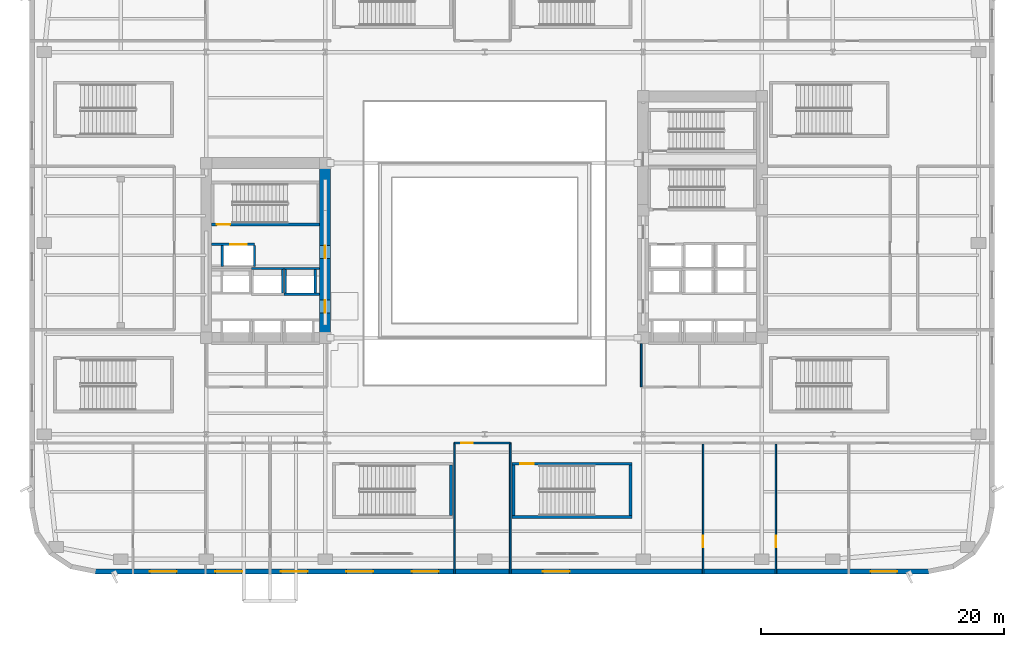
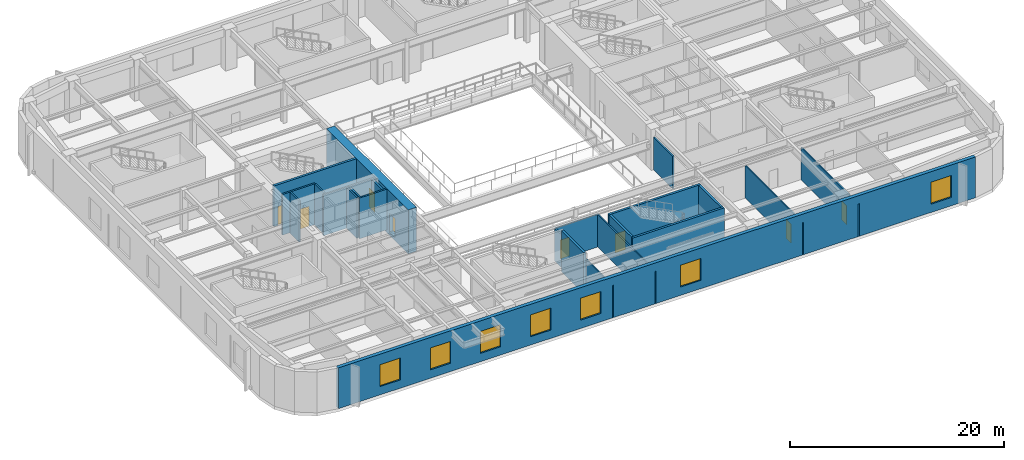
# One storey, part 8 of 24: 23 walls, 8 doors, 7 windows, 15 openings.
"""IFC4 building model written with IfcOpenShell, lengths in metres."""

from ifc_helpers import new_model, si_unit, direction, frame, frame_2d, origin, place, context, subcontext, project, spatial, rectangle, extrude, material, layer, layer_set, type_object, element, fill, save


model = new_model("IFC4")

# Units and contexts
model_context = context("Model", 3, precision=1e-05, world=origin(), true_north=direction((0.0, 1.0)))
body_context = subcontext(model_context, "Body", "Model", "MODEL_VIEW")
ifc_project = project(units=[si_unit("LENGTHUNIT", "METRE"), si_unit("AREAUNIT", "SQUARE_METRE"), si_unit("VOLUMEUNIT", "CUBIC_METRE"), si_unit("PLANEANGLEUNIT", "RADIAN"), si_unit("MASSUNIT", "GRAM", prefix="KILO")], contexts=[model_context])

# Site, building, storey
site_placement = place(None, origin())
site = spatial("IfcSite", under=ifc_project, at=site_placement, CompositionType="ELEMENT")
building_placement = place(site_placement, origin())
building = spatial("IfcBuilding", under=site, at=building_placement, Name="Kolvaren Arena Tower", CompositionType="ELEMENT")
storey_placement = place(building_placement, frame((0.0, 0.0, 23.0)))
storey = spatial("IfcBuildingStorey", under=building, at=storey_placement, Name="L04", CompositionType="ELEMENT", Elevation=23.0)

# Wall, opening, door
ifc_material_1 = material(Name="Gypsum board acoustic assembly", Category="gypsum")
ifc_layer_1 = layer(ifc_material_1, 0.159912109375)
ifc_layer_set_1 = layer_set([ifc_layer_1], Name="Gypsum board acoustic assembly")
wall_type_1 = type_object("IfcWallType", Name="CORR-160", PredefinedType="PARTITIONING", material=ifc_layer_set_1)
wall_1_placement = place(storey_placement, frame((35.0, 10.780029296875, 0.0), z_axis=(0.0, 0.0, 1.0), x_axis=(1.0, 0.0, 0.0)))
wall_1 = element("IfcWall", 1, at=wall_1_placement, inside=storey, type_object=wall_type_1, Name="Interior Partition Wall (L04)", PredefinedType="PARTITIONING", context=body_context, shape_type="SweptSolid", body=[
    extrude(rectangle(XDim=4.60009765625, YDim=0.159912109375, at=frame_2d((2.300048828125, 0.0))), origin(), (0.0, 0.0, 1.0), 3.7099609375),
])
opening_1_placement = place(wall_1_placement, frame((0.550048828125, 0.0, 0.0)))
opening_1 = element("IfcOpeningElement", 2, at=opening_1_placement, cuts=wall_1, Name="Opening D05", PredefinedType="OPENING", context=body_context, shape_type="SweptSolid", body=[
    extrude(rectangle(XDim=0.949951171875, YDim=2.14990234375, at=frame_2d((0.47509765625, 1.074951171875))), frame((0.0, 0.08984375, 0.0), z_axis=(0.0, -1.0, 0.0), x_axis=(1.0, 0.0, 0.0)), (0.0, 0.0, 1.0), 0.179931640625),
])
ifc_material_2 = material(Name="Solid-core oak acoustic office door", Category="wood")
door_type_1 = type_object("IfcDoorType", Name="DOOR-OF-095", OperationType="NOTDEFINED", PredefinedType="DOOR", material=ifc_material_2)
door_1_placement = place(opening_1_placement, origin())
door_1 = element("IfcDoor", 3, at=door_1_placement, inside=storey, type_object=door_type_1, Name="South Concourse Lounge Door (L04)", OperationType="SINGLE_SWING_LEFT", OverallHeight=2.14990234375, OverallWidth=0.949951171875, PredefinedType="DOOR", context=body_context, shape_type="SweptSolid", body=[
    extrude(rectangle(XDim=0.949951171875, YDim=2.14990234375, at=frame_2d((0.47509765625, 1.074951171875))), frame((0.0, 0.02490234375, 0.0), z_axis=(0.0, -1.0, 0.0), x_axis=(1.0, 0.0, 0.0)), (0.0, 0.0, 1.0), 0.050048828125),
])
fill(opening_1, door_1)

# Wall, openings, doors
ifc_material_3 = material(Name="Concrete 80 MPa", Category="concrete")
ifc_layer_2 = layer(ifc_material_3, 0.89990234375)
ifc_layer_set_2 = layer_set([ifc_layer_2], Name="Concrete 80 MPa")
wall_type_2 = type_object("IfcWallType", Name="CWALL-900", PredefinedType="SHEAR", material=ifc_layer_set_2)
wall_2_placement = place(storey_placement, frame((24.35009765625, 19.0, -0.35009765625), z_axis=(0.0, 0.0, 1.0), x_axis=(0.0, 1.0, 0.0)))
wall_2 = element("IfcWall", 4, at=wall_2_placement, inside=storey, type_object=wall_type_2, Name="Core Shear Wall WC-EAST (L04)", PredefinedType="SHEAR", context=body_context, shape_type="SweptSolid", body=[
    extrude(rectangle(XDim=15.300048828125, YDim=0.89990234375, at=frame_2d((7.64990234375, 0.0))), origin(), (0.0, 0.0, 1.0), 5.0),
])
opening_2_placement = place(wall_2_placement, frame((2.5, 0.0, 0.35009765625)))
opening_2 = element("IfcOpeningElement", 5, at=opening_2_placement, cuts=wall_2, Name="Opening D04", PredefinedType="OPENING", context=body_context, shape_type="SweptSolid", body=[
    extrude(rectangle(XDim=1.050048828125, YDim=2.14990234375, at=frame_2d((0.52490234375, 1.074951171875))), frame((0.0, 0.4599609375, 0.0), z_axis=(0.0, -1.0, 0.0), x_axis=(1.0, 0.0, 0.0)), (0.0, 0.0, 1.0), 0.919921875),
])
opening_3_placement = place(wall_2_placement, frame((7.0, 0.0, 0.35009765625)))
opening_3 = element("IfcOpeningElement", 6, at=opening_3_placement, cuts=wall_2, Name="Opening D04", PredefinedType="OPENING", context=body_context, shape_type="SweptSolid", body=[
    extrude(rectangle(XDim=1.050048828125, YDim=2.14990234375, at=frame_2d((0.52490234375, 1.074951171875))), frame((0.0, 0.4599609375, 0.0), z_axis=(0.0, -1.0, 0.0), x_axis=(1.0, 0.0, 0.0)), (0.0, 0.0, 1.0), 0.919921875),
])
ifc_material_4 = material(Name="Fire-rated steel lobby door", Category="steel")
door_type_2 = type_object("IfcDoorType", Name="DOOR-FF-105", OperationType="NOTDEFINED", PredefinedType="DOOR", material=ifc_material_4)
door_2_placement = place(opening_2_placement, origin())
door_2 = element("IfcDoor", 7, at=door_2_placement, inside=storey, type_object=door_type_2, Name="West Lift Lobby Fire Door (L04)", OperationType="SINGLE_SWING_LEFT", OverallHeight=2.14990234375, OverallWidth=1.050048828125, PredefinedType="DOOR", context=body_context, shape_type="SweptSolid", body=[
    extrude(rectangle(XDim=1.050048828125, YDim=2.14990234375, at=frame_2d((0.52490234375, 1.074951171875))), frame((0.0, 0.02490234375, 0.0), z_axis=(0.0, -1.0, 0.0), x_axis=(1.0, 0.0, 0.0)), (0.0, 0.0, 1.0), 0.050048828125),
])
fill(opening_2, door_2)
door_3_placement = place(opening_3_placement, origin())
door_3 = element("IfcDoor", 8, at=door_3_placement, inside=storey, type_object=door_type_2, Name="West Firefighter Vestibule Door (L04)", OperationType="SINGLE_SWING_RIGHT", OverallHeight=2.14990234375, OverallWidth=1.050048828125, PredefinedType="DOOR", context=body_context, shape_type="SweptSolid", body=[
    extrude(rectangle(XDim=1.050048828125, YDim=2.14990234375, at=frame_2d((0.52490234375, 1.074951171875))), frame((0.0, 0.02490234375, 0.0), z_axis=(0.0, -1.0, 0.0), x_axis=(1.0, 0.0, 0.0)), (0.0, 0.0, 1.0), 0.050048828125),
])
fill(opening_3, door_3)

# Wall, openings, windows
ifc_material_5 = material(Name="Precast concrete C50/60", Category="concrete")
ifc_layer_3 = layer(ifc_material_5, 0.3798828125)
ifc_layer_set_3 = layer_set([ifc_layer_3], Name="Precast concrete C50/60")
wall_type_3 = type_object("IfcWallType", Name="EXT-ARENA", PredefinedType="SOLIDWALL", material=ifc_layer_set_3)
wall_3_placement = place(storey_placement, frame((74.10009765625, 0.18994140625, 0.0), z_axis=(0.0, 0.0, 1.0), x_axis=(-1.0, 0.0, 0.0)))
wall_3 = element("IfcWall", 9, at=wall_3_placement, inside=storey, type_object=wall_type_3, Name="Exterior Precast Masonry-Frame Wall (L04)", PredefinedType="SOLIDWALL", context=body_context, shape_type="SweptSolid", body=[
    extrude(rectangle(XDim=68.7001953125, YDim=0.3798828125, at=frame_2d((34.35009765625, 0.0))), origin(), (0.0, 0.0, 1.0), 4.64990234375),
])
opening_4_placement = place(wall_3_placement, frame((2.60009765625, 0.0, 0.949951171875)))
opening_4 = element("IfcOpeningElement", 10, at=opening_4_placement, cuts=wall_3, Name="Opening W07", PredefinedType="OPENING", context=body_context, shape_type="SweptSolid", body=[
    extrude(rectangle(XDim=2.199951171875, YDim=2.5, at=frame_2d((1.10009765625, 1.25))), frame((0.0, 0.199951171875, 0.0), z_axis=(0.0, -1.0, 0.0), x_axis=(1.0, 0.0, 0.0)), (0.0, 0.0, 1.0), 0.39990234375),
])
opening_5_placement = place(wall_3_placement, frame((29.60009765625, 0.0, 0.949951171875)))
opening_5 = element("IfcOpeningElement", 11, at=opening_5_placement, cuts=wall_3, Name="Opening W07", PredefinedType="OPENING", context=body_context, shape_type="SweptSolid", body=[
    extrude(rectangle(XDim=2.199951171875, YDim=2.5, at=frame_2d((1.10009765625, 1.25))), frame((0.0, 0.199951171875, 0.0), z_axis=(0.0, -1.0, 0.0), x_axis=(1.0, 0.0, 0.0)), (0.0, 0.0, 1.0), 0.39990234375),
])
opening_6_placement = place(wall_3_placement, frame((40.39990234375, 0.0, 0.949951171875)))
opening_6 = element("IfcOpeningElement", 12, at=opening_6_placement, cuts=wall_3, Name="Opening W07", PredefinedType="OPENING", context=body_context, shape_type="SweptSolid", body=[
    extrude(rectangle(XDim=2.199951171875, YDim=2.5, at=frame_2d((1.10009765625, 1.25))), frame((0.0, 0.199951171875, 0.0), z_axis=(0.0, -1.0, 0.0), x_axis=(1.0, 0.0, 0.0)), (0.0, 0.0, 1.0), 0.39990234375),
])
opening_7_placement = place(wall_3_placement, frame((45.800048828125, 0.0, 0.949951171875)))
opening_7 = element("IfcOpeningElement", 13, at=opening_7_placement, cuts=wall_3, Name="Opening W07", PredefinedType="OPENING", context=body_context, shape_type="SweptSolid", body=[
    extrude(rectangle(XDim=2.199951171875, YDim=2.5, at=frame_2d((1.10009765625, 1.25))), frame((0.0, 0.199951171875, 0.0), z_axis=(0.0, -1.0, 0.0), x_axis=(1.0, 0.0, 0.0)), (0.0, 0.0, 1.0), 0.39990234375),
])
opening_8_placement = place(wall_3_placement, frame((51.199951171875, 0.0, 0.949951171875)))
opening_8 = element("IfcOpeningElement", 14, at=opening_8_placement, cuts=wall_3, Name="Opening W07", PredefinedType="OPENING", context=body_context, shape_type="SweptSolid", body=[
    extrude(rectangle(XDim=2.199951171875, YDim=2.5, at=frame_2d((1.10009765625, 1.25))), frame((0.0, 0.199951171875, 0.0), z_axis=(0.0, -1.0, 0.0), x_axis=(1.0, 0.0, 0.0)), (0.0, 0.0, 1.0), 0.39990234375),
])
opening_9_placement = place(wall_3_placement, frame((56.60009765625, 0.0, 0.949951171875)))
opening_9 = element("IfcOpeningElement", 15, at=opening_9_placement, cuts=wall_3, Name="Opening W07", PredefinedType="OPENING", context=body_context, shape_type="SweptSolid", body=[
    extrude(rectangle(XDim=2.199951171875, YDim=2.5, at=frame_2d((1.10009765625, 1.25))), frame((0.0, 0.199951171875, 0.0), z_axis=(0.0, -1.0, 0.0), x_axis=(1.0, 0.0, 0.0)), (0.0, 0.0, 1.0), 0.39990234375),
])
opening_10_placement = place(wall_3_placement, frame((62.0, 0.0, 0.949951171875)))
opening_10 = element("IfcOpeningElement", 16, at=opening_10_placement, cuts=wall_3, Name="Opening W07", PredefinedType="OPENING", context=body_context, shape_type="SweptSolid", body=[
    extrude(rectangle(XDim=2.199951171875, YDim=2.5, at=frame_2d((1.10009765625, 1.25))), frame((0.0, 0.199951171875, 0.0), z_axis=(0.0, -1.0, 0.0), x_axis=(1.0, 0.0, 0.0)), (0.0, 0.0, 1.0), 0.39990234375),
])
ifc_material_6 = material(Name="Triple-glazed arena concourse window", Category="glass")
window_type = type_object("IfcWindowType", Name="WIN-POD-A", PartitioningType="DOUBLE_PANEL_VERTICAL", PredefinedType="WINDOW", material=ifc_material_6)
window_1_placement = place(opening_4_placement, origin())
window_1 = element("IfcWindow", 17, at=window_1_placement, inside=storey, type_object=window_type, Name="Punched Precast-Pier Window (L04)", OverallHeight=2.5, OverallWidth=2.199951171875, PartitioningType="DOUBLE_PANEL_VERTICAL", PredefinedType="WINDOW", context=body_context, shape_type="SweptSolid", body=[
    extrude(rectangle(XDim=2.199951171875, YDim=2.5, at=frame_2d((1.10009765625, 1.25))), frame((0.0, 0.030029296875, 0.0), z_axis=(0.0, -1.0, 0.0), x_axis=(1.0, 0.0, 0.0)), (0.0, 0.0, 1.0), 0.06005859375),
])
fill(opening_4, window_1)
window_2_placement = place(opening_5_placement, origin())
window_2 = element("IfcWindow", 18, at=window_2_placement, inside=storey, type_object=window_type, Name="Punched Precast-Pier Window (L04)", OverallHeight=2.5, OverallWidth=2.199951171875, PartitioningType="DOUBLE_PANEL_VERTICAL", PredefinedType="WINDOW", context=body_context, shape_type="SweptSolid", body=[
    extrude(rectangle(XDim=2.199951171875, YDim=2.5, at=frame_2d((1.10009765625, 1.25))), frame((0.0, 0.030029296875, 0.0), z_axis=(0.0, -1.0, 0.0), x_axis=(1.0, 0.0, 0.0)), (0.0, 0.0, 1.0), 0.06005859375),
])
fill(opening_5, window_2)
window_3_placement = place(opening_6_placement, origin())
window_3 = element("IfcWindow", 19, at=window_3_placement, inside=storey, type_object=window_type, Name="Punched Precast-Pier Window (L04)", OverallHeight=2.5, OverallWidth=2.199951171875, PartitioningType="DOUBLE_PANEL_VERTICAL", PredefinedType="WINDOW", context=body_context, shape_type="SweptSolid", body=[
    extrude(rectangle(XDim=2.199951171875, YDim=2.5, at=frame_2d((1.10009765625, 1.25))), frame((0.0, 0.030029296875, 0.0), z_axis=(0.0, -1.0, 0.0), x_axis=(1.0, 0.0, 0.0)), (0.0, 0.0, 1.0), 0.06005859375),
])
fill(opening_6, window_3)
window_4_placement = place(opening_7_placement, origin())
window_4 = element("IfcWindow", 20, at=window_4_placement, inside=storey, type_object=window_type, Name="Punched Precast-Pier Window (L04)", OverallHeight=2.5, OverallWidth=2.199951171875, PartitioningType="DOUBLE_PANEL_VERTICAL", PredefinedType="WINDOW", context=body_context, shape_type="SweptSolid", body=[
    extrude(rectangle(XDim=2.199951171875, YDim=2.5, at=frame_2d((1.10009765625, 1.25))), frame((0.0, 0.030029296875, 0.0), z_axis=(0.0, -1.0, 0.0), x_axis=(1.0, 0.0, 0.0)), (0.0, 0.0, 1.0), 0.06005859375),
])
fill(opening_7, window_4)
window_5_placement = place(opening_8_placement, origin())
window_5 = element("IfcWindow", 21, at=window_5_placement, inside=storey, type_object=window_type, Name="Punched Precast-Pier Window (L04)", OverallHeight=2.5, OverallWidth=2.199951171875, PartitioningType="DOUBLE_PANEL_VERTICAL", PredefinedType="WINDOW", context=body_context, shape_type="SweptSolid", body=[
    extrude(rectangle(XDim=2.199951171875, YDim=2.5, at=frame_2d((1.10009765625, 1.25))), frame((0.0, 0.030029296875, 0.0), z_axis=(0.0, -1.0, 0.0), x_axis=(1.0, 0.0, 0.0)), (0.0, 0.0, 1.0), 0.06005859375),
])
fill(opening_8, window_5)
window_6_placement = place(opening_9_placement, origin())
window_6 = element("IfcWindow", 22, at=window_6_placement, inside=storey, type_object=window_type, Name="Punched Precast-Pier Window (L04)", OverallHeight=2.5, OverallWidth=2.199951171875, PartitioningType="DOUBLE_PANEL_VERTICAL", PredefinedType="WINDOW", context=body_context, shape_type="SweptSolid", body=[
    extrude(rectangle(XDim=2.199951171875, YDim=2.5, at=frame_2d((1.10009765625, 1.25))), frame((0.0, 0.030029296875, 0.0), z_axis=(0.0, -1.0, 0.0), x_axis=(1.0, 0.0, 0.0)), (0.0, 0.0, 1.0), 0.06005859375),
])
fill(opening_9, window_6)
window_7_placement = place(opening_10_placement, origin())
window_7 = element("IfcWindow", 23, at=window_7_placement, inside=storey, type_object=window_type, Name="Punched Precast-Pier Window (L04)", OverallHeight=2.5, OverallWidth=2.199951171875, PartitioningType="DOUBLE_PANEL_VERTICAL", PredefinedType="WINDOW", context=body_context, shape_type="SweptSolid", body=[
    extrude(rectangle(XDim=2.199951171875, YDim=2.5, at=frame_2d((1.10009765625, 1.25))), frame((0.0, 0.030029296875, 0.0), z_axis=(0.0, -1.0, 0.0), x_axis=(1.0, 0.0, 0.0)), (0.0, 0.0, 1.0), 0.06005859375),
])
fill(opening_10, window_7)

# Wall, opening, door
ifc_material_7 = material(Name="Gypsum board partition assembly", Category="gypsum")
ifc_layer_4 = layer(ifc_material_7, 0.135009765625)
ifc_layer_set_4 = layer_set([ifc_layer_4], Name="Gypsum board partition assembly")
wall_type_4 = type_object("IfcWallType", Name="PART-135", PredefinedType="PARTITIONING", material=ifc_layer_set_4)
wall_4_placement = place(storey_placement, frame((55.5, 0.0, 0.0), z_axis=(0.0, 0.0, 1.0), x_axis=(0.0, 1.0, 0.0)))
wall_4 = element("IfcWall", 24, at=wall_4_placement, inside=storey, type_object=wall_type_4, Name="Interior Partition Wall (L04)", PredefinedType="PARTITIONING", context=body_context, shape_type="SweptSolid", body=[
    extrude(rectangle(XDim=10.68994140625, YDim=0.135009765625, at=frame_2d((5.344970703125, 0.0))), origin(), (0.0, 0.0, 1.0), 3.7099609375),
])
opening_11_placement = place(wall_4_placement, frame((2.199951171875, 0.0, 0.0)))
opening_11 = element("IfcOpeningElement", 25, at=opening_11_placement, cuts=wall_4, Name="Opening D05", PredefinedType="OPENING", context=body_context, shape_type="SweptSolid", body=[
    extrude(rectangle(XDim=0.949951171875, YDim=2.14990234375, at=frame_2d((0.47509765625, 1.074951171875))), frame((0.0, 0.077392578125, 0.0), z_axis=(0.0, -1.0, 0.0), x_axis=(1.0, 0.0, 0.0)), (0.0, 0.0, 1.0), 0.155029296875),
])
door_4_placement = place(opening_11_placement, origin())
door_4 = element("IfcDoor", 26, at=door_4_placement, inside=storey, type_object=door_type_1, Name="Executive Office Connecting Door (L04)", OperationType="SINGLE_SWING_LEFT", OverallHeight=2.14990234375, OverallWidth=0.949951171875, PredefinedType="DOOR", context=body_context, shape_type="SweptSolid", body=[
    extrude(rectangle(XDim=0.949951171875, YDim=2.14990234375, at=frame_2d((0.47509765625, 1.074951171875))), frame((0.0, 0.02490234375, 0.0), z_axis=(0.0, -1.0, 0.0), x_axis=(1.0, 0.0, 0.0)), (0.0, 0.0, 1.0), 0.050048828125),
])
fill(opening_11, door_4)

wall_5_placement = place(storey_placement, frame((61.5, 0.0, 0.0), z_axis=(0.0, 0.0, 1.0), x_axis=(0.0, 1.0, 0.0)))
wall_5 = element("IfcWall", 27, at=wall_5_placement, inside=storey, type_object=wall_type_4, Name="Interior Partition Wall (L04)", PredefinedType="PARTITIONING", context=body_context, shape_type="SweptSolid", body=[
    extrude(rectangle(XDim=10.68994140625, YDim=0.135009765625, at=frame_2d((5.344970703125, 0.0))), origin(), (0.0, 0.0, 1.0), 3.7099609375),
])
opening_12_placement = place(wall_5_placement, frame((2.199951171875, 0.0, 0.0)))
opening_12 = element("IfcOpeningElement", 28, at=opening_12_placement, cuts=wall_5, Name="Opening D05", PredefinedType="OPENING", context=body_context, shape_type="SweptSolid", body=[
    extrude(rectangle(XDim=0.949951171875, YDim=2.14990234375, at=frame_2d((0.47509765625, 1.074951171875))), frame((0.0, 0.077392578125, 0.0), z_axis=(0.0, -1.0, 0.0), x_axis=(1.0, 0.0, 0.0)), (0.0, 0.0, 1.0), 0.155029296875),
])
door_5_placement = place(opening_12_placement, origin())
door_5 = element("IfcDoor", 29, at=door_5_placement, inside=storey, type_object=door_type_1, Name="South-East Dining Hall Connecting Door (L04)", OperationType="SINGLE_SWING_LEFT", OverallHeight=2.14990234375, OverallWidth=0.949951171875, PredefinedType="DOOR", context=body_context, shape_type="SweptSolid", body=[
    extrude(rectangle(XDim=0.949951171875, YDim=2.14990234375, at=frame_2d((0.47509765625, 1.074951171875))), frame((0.0, 0.02490234375, 0.0), z_axis=(0.0, -1.0, 0.0), x_axis=(1.0, 0.0, 0.0)), (0.0, 0.0, 1.0), 0.050048828125),
])
fill(opening_12, door_5)

# Walls
for number, where, z_axis, x_axis, name in (
    (30, (35.0, 0.0, 0.0), (0.0, 0.0, 1.0), (0.0, 1.0, 0.0), "Interior Partition Wall (L04)"),
    (31, (39.60009765625, 0.0, 0.0), (0.0, 0.0, 1.0), (0.0, 1.0, 0.0), "Interior Partition Wall (L04)"),
):
    element("IfcWall", number, at=place(storey_placement, frame(where, z_axis=z_axis, x_axis=x_axis)), inside=storey, type_object=wall_type_4, Name=name, PredefinedType="PARTITIONING", context=body_context, shape_type="SweptSolid", body=[
        extrude(rectangle(XDim=10.780029296875, YDim=0.135009765625, at=frame_2d((5.39013671875, 0.0))), origin(), (0.0, 0.0, 1.0), 3.7099609375),
    ])
ifc_material_8 = material(Name="Concrete 45 MPa", Category="concrete")
ifc_layer_5 = layer(ifc_material_8, 0.25)
ifc_layer_set_5 = layer_set([ifc_layer_5], Name="Concrete 45 MPa")
wall_type_5 = type_object("IfcWallType", Name="SHAFT-250", PredefinedType="SOLIDWALL", material=ifc_layer_set_5)
wall_6_placement = place(storey_placement, frame((34.719970703125, 4.800048828125, 0.0), z_axis=(0.0, 0.0, 1.0), x_axis=(0.0, 1.0, 0.0)))
element("IfcWall", 32, at=wall_6_placement, inside=storey, type_object=wall_type_5, Name="Stair ST-A2 East Shaft Wall (L04)", PredefinedType="SOLIDWALL", context=body_context, shape_type="SweptSolid", body=[
    extrude(rectangle(XDim=4.14990234375, YDim=0.239990234375, at=frame_2d((2.074951171875, 0.0))), origin(), (0.0, 0.0, 1.0), 4.64990234375),
])

# Wall, opening, door
wall_7_placement = place(storey_placement, frame((39.760009765625, 9.070068359375, 0.0), z_axis=(0.0, 0.0, 1.0), x_axis=(1.0, 0.0, 0.0)))
wall_7 = element("IfcWall", 33, at=wall_7_placement, inside=storey, type_object=wall_type_5, Name="Stair ST-A3 Rated Enclosure Wall (L04)", PredefinedType="SOLIDWALL", context=body_context, shape_type="SweptSolid", body=[
    extrude(rectangle(XDim=9.8798828125, YDim=0.239990234375, at=frame_2d((4.93994140625, 0.0))), origin(), (0.0, 0.0, 1.0), 4.64990234375),
])
opening_13_placement = place(wall_7_placement, frame((0.68994140625, 0.0, 0.0)))
opening_13 = element("IfcOpeningElement", 34, at=opening_13_placement, cuts=wall_7, Name="Opening D03", PredefinedType="OPENING", context=body_context, shape_type="SweptSolid", body=[
    extrude(rectangle(XDim=1.10009765625, YDim=2.14990234375, at=frame_2d((0.550048828125, 1.074951171875))), frame((0.0, 0.1298828125, 0.0), z_axis=(0.0, -1.0, 0.0), x_axis=(1.0, 0.0, 0.0)), (0.0, 0.0, 1.0), 0.260009765625),
])
ifc_material_9 = material(Name="Fire-rated steel exit stair door", Category="steel")
door_type_3 = type_object("IfcDoorType", Name="DOOR-ST-110", OperationType="NOTDEFINED", PredefinedType="DOOR", material=ifc_material_9)
door_6_placement = place(opening_13_placement, origin())
door_6 = element("IfcDoor", 35, at=door_6_placement, inside=storey, type_object=door_type_3, Name="Exit Stair ST-A3 Fire Door (L04)", OperationType="SINGLE_SWING_RIGHT", OverallHeight=2.14990234375, OverallWidth=1.10009765625, PredefinedType="DOOR", context=body_context, shape_type="SweptSolid", body=[
    extrude(rectangle(XDim=1.10009765625, YDim=2.14990234375, at=frame_2d((0.550048828125, 1.074951171875))), frame((0.0, 0.02490234375, 0.0), z_axis=(0.0, -1.0, 0.0), x_axis=(1.0, 0.0, 0.0)), (0.0, 0.0, 1.0), 0.050048828125),
])
fill(opening_13, door_6)

# Walls
wall_8_placement = place(storey_placement, frame((39.760009765625, 4.679931640625, 0.0), z_axis=(0.0, 0.0, 1.0), x_axis=(1.0, 0.0, 0.0)))
element("IfcWall", 36, at=wall_8_placement, inside=storey, type_object=wall_type_5, Name="Stair ST-A3 Rear Shaft Wall (L04)", PredefinedType="SOLIDWALL", context=body_context, shape_type="SweptSolid", body=[
    extrude(rectangle(XDim=9.8798828125, YDim=0.239990234375, at=frame_2d((4.93994140625, 0.0))), origin(), (0.0, 0.0, 1.0), 4.64990234375),
])
for number, where, z_axis, x_axis, name in (
    (37, (39.8798828125, 4.800048828125, 0.0), (0.0, 0.0, 1.0), (0.0, 1.0, 0.0), "Stair ST-A3 West Shaft Wall (L04)"),
    (38, (49.52001953125, 4.800048828125, 0.0), (0.0, 0.0, 1.0), (0.0, 1.0, 0.0), "Stair ST-A3 East Shaft Wall (L04)"),
):
    element("IfcWall", number, at=place(storey_placement, frame(where, z_axis=z_axis, x_axis=x_axis)), inside=storey, type_object=wall_type_5, Name=name, PredefinedType="SOLIDWALL", context=body_context, shape_type="SweptSolid", body=[
        extrude(rectangle(XDim=4.14990234375, YDim=0.239990234375, at=frame_2d((2.074951171875, 0.0))), origin(), (0.0, 0.0, 1.0), 4.64990234375),
    ])

# Wall, opening, door
wall_9_placement = place(storey_placement, frame((23.89990234375, 28.780029296875, 0.0), z_axis=(0.0, 0.0, 1.0), x_axis=(-1.0, 0.0, 0.0)))
wall_9 = element("IfcWall", 39, at=wall_9_placement, inside=storey, type_object=wall_type_5, Name="Core Shaft Wall (L04)", PredefinedType="SOLIDWALL", context=body_context, shape_type="SweptSolid", body=[
    extrude(rectangle(XDim=8.89990234375, YDim=0.239990234375, at=frame_2d((4.449951171875, 0.0))), origin(), (0.0, 0.0, 1.0), 4.64990234375),
])
opening_14_placement = place(wall_9_placement, frame((7.3798828125, 0.0, 0.0)))
opening_14 = element("IfcOpeningElement", 40, at=opening_14_placement, cuts=wall_9, Name="Opening D03", PredefinedType="OPENING", context=body_context, shape_type="SweptSolid", body=[
    extrude(rectangle(XDim=1.10009765625, YDim=2.14990234375, at=frame_2d((0.550048828125, 1.074951171875))), frame((0.0, 0.1298828125, 0.0), z_axis=(0.0, -1.0, 0.0), x_axis=(1.0, 0.0, 0.0)), (0.0, 0.0, 1.0), 0.260009765625),
])
door_7_placement = place(opening_14_placement, origin())
door_7 = element("IfcDoor", 41, at=door_7_placement, inside=storey, type_object=door_type_3, Name="Stair ST-W1 Fire Door (L04)", OperationType="SINGLE_SWING_RIGHT", OverallHeight=2.14990234375, OverallWidth=1.10009765625, PredefinedType="DOOR", context=body_context, shape_type="SweptSolid", body=[
    extrude(rectangle(XDim=1.10009765625, YDim=2.14990234375, at=frame_2d((0.550048828125, 1.074951171875))), frame((0.0, 0.02490234375, 0.0), z_axis=(0.0, -1.0, 0.0), x_axis=(1.0, 0.0, 0.0)), (0.0, 0.0, 1.0), 0.050048828125),
])
fill(opening_14, door_7)

# Walls
wall_10_placement = place(storey_placement, frame((18.262451171875, 25.155029296875, 0.0), z_axis=(0.0, 0.0, 1.0), x_axis=(1.0, 0.0, 0.0)))
element("IfcWall", 42, at=wall_10_placement, inside=storey, type_object=wall_type_5, Name="Core Shaft Wall (L04)", PredefinedType="SOLIDWALL", context=body_context, shape_type="SweptSolid", body=[
    extrude(rectangle(XDim=2.6875, YDim=0.179931640625, at=frame_2d((1.34375, 0.0))), origin(), (0.0, 0.0, 1.0), 4.64990234375),
])
wall_11_placement = place(storey_placement, frame((20.830078125, 23.135009765625, 0.0), z_axis=(0.0, 0.0, 1.0), x_axis=(0.0, 1.0, 0.0)))
element("IfcWall", 43, at=wall_11_placement, inside=storey, type_object=wall_type_5, Name="Core Shaft Wall (L04)", PredefinedType="SOLIDWALL", context=body_context, shape_type="SweptSolid", body=[
    extrude(rectangle(XDim=1.929931640625, YDim=0.179931640625, at=frame_2d((0.96484375, 0.0))), origin(), (0.0, 0.0, 1.0), 4.64990234375),
])
for number, where, z_axis, x_axis, name in (
    (44, (20.949951171875, 25.155029296875, 0.0), (0.0, 0.0, 1.0), (1.0, 0.0, 0.0), "Core Shaft Wall (L04)"),
    (45, (20.949951171875, 23.044921875, 0.0), (0.0, 0.0, 1.0), (1.0, 0.0, 0.0), "Core Shaft Wall (L04)"),
):
    element("IfcWall", number, at=place(storey_placement, frame(where, z_axis=z_axis, x_axis=x_axis)), inside=storey, type_object=wall_type_5, Name=name, PredefinedType="SOLIDWALL", context=body_context, shape_type="SweptSolid", body=[
        extrude(rectangle(XDim=2.949951171875, YDim=0.179931640625, at=frame_2d((1.47509765625, 0.0))), origin(), (0.0, 0.0, 1.0), 4.64990234375),
    ])
for number, where, z_axis, x_axis, name in (
    (46, (21.070068359375, 23.135009765625, 0.0), (0.0, 0.0, 1.0), (0.0, 1.0, 0.0), "Core Shaft Wall (L04)"),
    (47, (23.530029296875, 23.135009765625, 0.0), (0.0, 0.0, 1.0), (0.0, 1.0, 0.0), "Core Shaft Wall (L04)"),
):
    element("IfcWall", number, at=place(storey_placement, frame(where, z_axis=z_axis, x_axis=x_axis)), inside=storey, type_object=wall_type_5, Name=name, PredefinedType="SOLIDWALL", context=body_context, shape_type="SweptSolid", body=[
        extrude(rectangle(XDim=1.929931640625, YDim=0.179931640625, at=frame_2d((0.96484375, 0.0))), origin(), (0.0, 0.0, 1.0), 4.64990234375),
    ])

# Wall, opening, door
wall_12_placement = place(storey_placement, frame((15.0, 27.155029296875, 0.0), z_axis=(0.0, 0.0, 1.0), x_axis=(1.0, 0.0, 0.0)))
wall_12 = element("IfcWall", 48, at=wall_12_placement, inside=storey, type_object=wall_type_5, Name="Core Shaft Wall (L04)", PredefinedType="SOLIDWALL", context=body_context, shape_type="SweptSolid", body=[
    extrude(rectangle(XDim=3.530029296875, YDim=0.179931640625, at=frame_2d((1.76513671875, 0.0))), origin(), (0.0, 0.0, 1.0), 4.64990234375),
])
opening_15_placement = place(wall_12_placement, frame((1.52490234375, 0.0, 0.0)))
opening_15 = element("IfcOpeningElement", 49, at=opening_15_placement, cuts=wall_12, Name="Opening LD2", PredefinedType="OPENING", context=body_context, shape_type="SweptSolid", body=[
    extrude(rectangle(XDim=1.35009765625, YDim=2.300048828125, at=frame_2d((0.675048828125, 1.14990234375))), frame((0.0, 0.099853515625, 0.0), z_axis=(0.0, -1.0, 0.0), x_axis=(1.0, 0.0, 0.0)), (0.0, 0.0, 1.0), 0.199951171875),
])
ifc_material_10 = material(Name="Stainless steel firefighter lift landing door", Category="steel")
door_type_4 = type_object("IfcDoorType", Name="DOOR-LD-135", OperationType="DOUBLE_DOOR_SLIDING", PredefinedType="DOOR", material=ifc_material_10)
door_8_placement = place(opening_15_placement, origin())
door_8 = element("IfcDoor", 50, at=door_8_placement, inside=storey, type_object=door_type_4, Name="Firefighter Lift FF-W1 Landing Door (L04)", OperationType="DOUBLE_DOOR_SLIDING", OverallHeight=2.300048828125, OverallWidth=1.35009765625, PredefinedType="DOOR", context=body_context, shape_type="SweptSolid", body=[
    extrude(rectangle(XDim=1.35009765625, YDim=2.300048828125, at=frame_2d((0.675048828125, 1.14990234375))), frame((0.0, 0.02490234375, 0.0), z_axis=(0.0, -1.0, 0.0), x_axis=(1.0, 0.0, 0.0)), (0.0, 0.0, 1.0), 0.050048828125),
])
fill(opening_15, door_8)

# Walls
for number, where, z_axis, x_axis, name in (
    (51, (15.8701171875, 25.3349609375, 0.0), (0.0, 0.0, 1.0), (0.0, 1.0, 0.0), "Core Shaft Wall (L04)"),
    (52, (18.530029296875, 25.3349609375, 0.0), (0.0, 0.0, 1.0), (0.0, 1.0, 0.0), "Core Shaft Wall (L04)"),
):
    element("IfcWall", number, at=place(storey_placement, frame(where, z_axis=z_axis, x_axis=x_axis)), inside=storey, type_object=wall_type_5, Name=name, PredefinedType="SOLIDWALL", context=body_context, shape_type="SweptSolid", body=[
        extrude(rectangle(XDim=1.72998046875, YDim=0.179931640625, at=frame_2d((0.864990234375, 0.0))), origin(), (0.0, 0.0, 1.0), 4.64990234375),
    ])
ifc_material_11 = material(Name="Moisture-resistant gypsum assembly", Category="gypsum")
ifc_layer_6 = layer(ifc_material_11, 0.14990234375)
ifc_layer_set_6 = layer_set([ifc_layer_6], Name="Moisture-resistant gypsum assembly")
wall_type_6 = type_object("IfcWallType", Name="WETW-150", PredefinedType="PARTITIONING", material=ifc_layer_set_6)
wall_13_placement = place(storey_placement, frame((50.39990234375, 15.39990234375, 0.0), z_axis=(0.0, 0.0, 1.0), x_axis=(0.0, 1.0, 0.0)))
element("IfcWall", 53, at=wall_13_placement, inside=storey, type_object=wall_type_6, Name="Interior Partition Wall (L04)", PredefinedType="PARTITIONING", context=body_context, shape_type="SweptSolid", body=[
    extrude(rectangle(XDim=3.580078125, YDim=0.14990234375, at=frame_2d((1.7900390625, 0.0))), origin(), (0.0, 0.0, 1.0), 3.7099609375),
])

save(model, "model.ifc")
